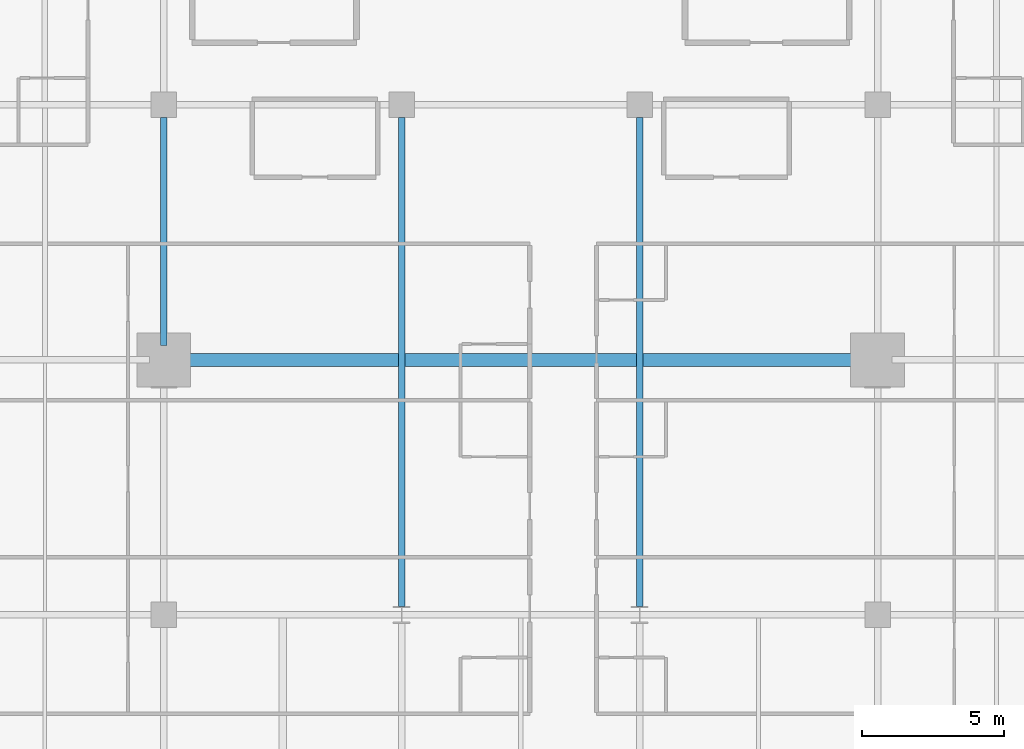
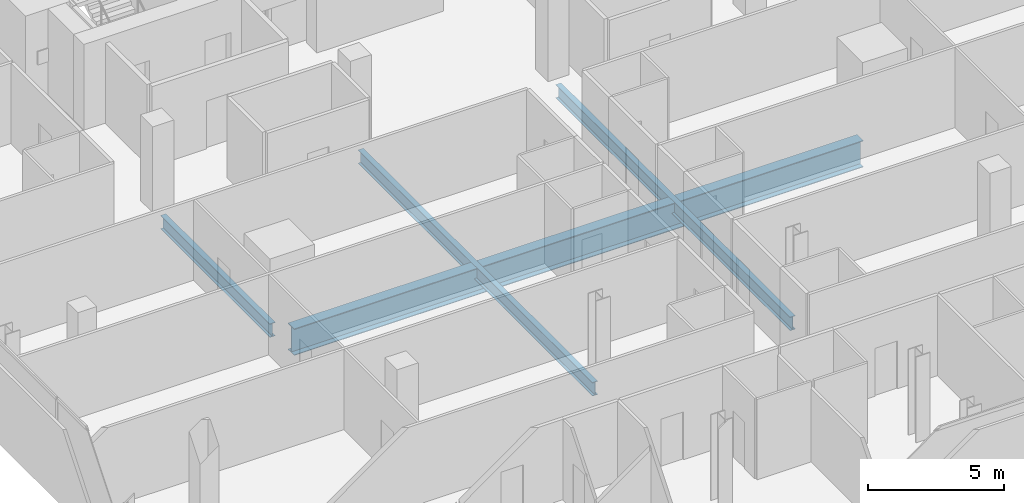
# One storey, part 11 of 33: 4 beams.
"""IFC4 building model written with IfcOpenShell, lengths in metres."""

from ifc_helpers import new_model, si_unit, direction, frame, origin, origin_2d, place, context, subcontext, project, spatial, i_section, extrude, material, material_profile, profile_set, type_object, element, save


model = new_model("IFC4")

# Units and contexts
model_context = context("Model", 3, precision=1e-05, world=origin(), true_north=direction((0.0, 1.0)))
body_context = subcontext(model_context, "Body", "Model", "MODEL_VIEW")
ifc_project = project(units=[si_unit("LENGTHUNIT", "METRE"), si_unit("AREAUNIT", "SQUARE_METRE"), si_unit("VOLUMEUNIT", "CUBIC_METRE"), si_unit("PLANEANGLEUNIT", "RADIAN"), si_unit("MASSUNIT", "GRAM", prefix="KILO")], contexts=[model_context])

# Site, building, storey
site_placement = place(None, origin())
site = spatial("IfcSite", under=ifc_project, at=site_placement, CompositionType="ELEMENT")
building_placement = place(site_placement, origin())
building = spatial("IfcBuilding", under=site, at=building_placement, Name="Maruvema Waterfront Hotel and Observation Tower", CompositionType="ELEMENT")
storey_placement = place(building_placement, frame((0.0, 0.0, 154.35009765625)))
storey = spatial("IfcBuildingStorey", under=building, at=storey_placement, Name="L37", CompositionType="ELEMENT", Elevation=154.35009765625)

# Beams
ifc_material_1 = material(Name="Steel ASTM A572 Grade 50", Category="steel")
ifc_material_profile_1 = material_profile(ifc_material_1, i_section(OverallWidth=0.22900390625, OverallDepth=0.612060546875, WebThickness=0.011962890625, FlangeThickness=0.01953125, FilletRadius=0.01806640625, at=origin_2d()), Name="W610x125.0")
ifc_profile_set_1 = profile_set([ifc_material_profile_1], Name="Steel ASTM A572 Grade 50")
beam_type_1 = type_object("IfcBeamType", Name="Primary Floor Girder W610x125.0", PredefinedType="BEAM", material=ifc_profile_set_1)
beam_1_placement = place(storey_placement, frame((25.199951171875, 27.5, -0.546142578125), z_axis=(0.0, 1.0, 0.0), x_axis=(-1.0, 0.0, 0.0)))
element("IfcBeam", 1, at=beam_1_placement, inside=storey, type_object=beam_type_1, Name="L37 Floor Girder NS-12", PredefinedType="BEAM", context=body_context, shape_type="SweptSolid", body=[
    extrude(i_section(OverallWidth=0.22900390625, OverallDepth=0.612060546875, WebThickness=0.011962890625, FlangeThickness=0.01953125, FilletRadius=0.01806640625, at=origin_2d()), origin(), (0.0, 0.0, 1.0), 8.050048828125),
])
for number, where, z_axis, x_axis, name in (
    (2, (33.60009765625, 18.300048828125, -0.546142578125), (0.0, 1.0, 0.0), (-1.0, 0.0, 0.0), "L37 Floor Girder NS-16"),
    (3, (42.0, 18.300048828125, -0.546142578125), (0.0, 1.0, 0.0), (-1.0, 0.0, 0.0), "L37 Floor Girder NS-19"),
):
    element("IfcBeam", number, at=place(storey_placement, frame(where, z_axis=z_axis, x_axis=x_axis)), inside=storey, type_object=beam_type_1, Name=name, PredefinedType="BEAM", context=body_context, shape_type="SweptSolid", body=[
        extrude(i_section(OverallWidth=0.22900390625, OverallDepth=0.612060546875, WebThickness=0.011962890625, FlangeThickness=0.01953125, FilletRadius=0.01806640625, at=origin_2d()), origin(), (0.0, 0.0, 1.0), 17.25),
    ])
ifc_material_2 = material(Name="Steel ABNT NBR 7007 AR 415 (ASTM A572 Grade 50)", Category="steel")
ifc_material_profile_2 = material_profile(ifc_material_2, i_section(OverallWidth=0.449951171875, OverallDepth=1.199951171875, WebThickness=0.01904296875, FlangeThickness=0.031982421875, at=origin_2d()), Name="VS1200x366")
ifc_profile_set_2 = profile_set([ifc_material_profile_2], Name="Steel ABNT NBR 7007 AR 415 (ASTM A572 Grade 50)")
beam_type_2 = type_object("IfcBeamType", Name="Upper Setback Transfer Girder VS1200x366", PredefinedType="USERDEFINED", material=ifc_profile_set_2)
beam_2_placement = place(storey_placement, frame((25.699951171875, 27.0, -0.840087890625), z_axis=(1.0, 0.0, 0.0), x_axis=(0.0, 1.0, 0.0)))
element("IfcBeam", 4, at=beam_2_placement, inside=storey, type_object=beam_type_2, Name="L37 Floor Girder EW-20", ObjectType="TRANSFER GIRDER", PredefinedType="USERDEFINED", context=body_context, shape_type="SweptSolid", body=[
    extrude(i_section(OverallWidth=0.449951171875, OverallDepth=1.199951171875, WebThickness=0.01904296875, FlangeThickness=0.031982421875, at=origin_2d()), origin(), (0.0, 0.0, 1.0), 24.199951171875),
])

save(model, "model.ifc")
